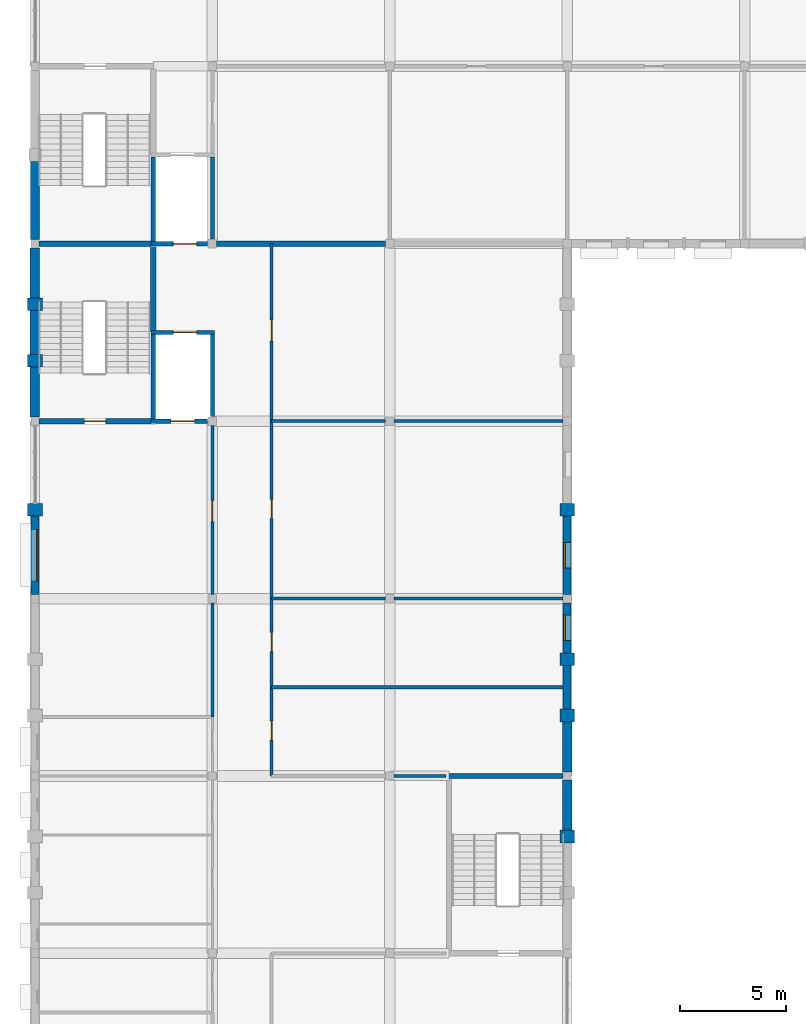
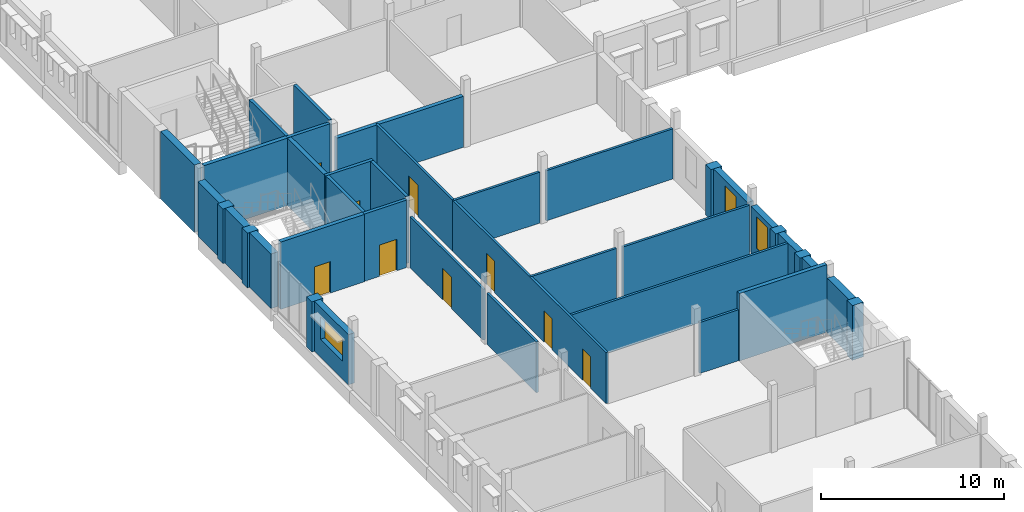
# One storey, part 16 of 22: 39 walls, 9 doors, 3 windows, 12 openings.
"""IFC4 building model written with IfcOpenShell, lengths in metres."""

from ifc_helpers import new_model, si_unit, direction, frame, frame_2d, origin, place, context, subcontext, project, spatial, rectangle, extrude, material, layer, layer_set, type_object, element, fill, save


model = new_model("IFC4")

# Units and contexts
model_context = context("Model", 3, precision=1e-05, world=origin(), true_north=direction((0.0, 1.0)))
body_context = subcontext(model_context, "Body", "Model", "MODEL_VIEW")
ifc_project = project(units=[si_unit("LENGTHUNIT", "METRE"), si_unit("AREAUNIT", "SQUARE_METRE"), si_unit("VOLUMEUNIT", "CUBIC_METRE"), si_unit("PLANEANGLEUNIT", "RADIAN"), si_unit("MASSUNIT", "GRAM", prefix="KILO")], contexts=[model_context])

# Site, building, storey
site_placement = place(None, origin())
site = spatial("IfcSite", under=ifc_project, at=site_placement, CompositionType="ELEMENT")
building_placement = place(site_placement, origin())
building = spatial("IfcBuilding", under=site, at=building_placement, Name="Fescue Hill Polytechnic", CompositionType="ELEMENT")
storey_placement = place(building_placement, frame((0.0, 0.0, 27.0)))
storey = spatial("IfcBuildingStorey", under=building, at=storey_placement, Name="L06", CompositionType="ELEMENT", Elevation=27.0)

# Wall, opening, door
ifc_material_1 = material(Name="Concrete 40 MPa", Category="concrete")
ifc_layer_1 = layer(ifc_material_1, 0.25)
ifc_layer_set_1 = layer_set([ifc_layer_1], Name="Concrete 40 MPa")
wall_type_1 = type_object("IfcWallType", Name="Core wall 250", PredefinedType="SHEAR", material=ifc_layer_set_1)
wall_1_placement = place(storey_placement, frame((0.199951171875, 100.800048828125, 0.0), z_axis=(0.0, 0.0, 1.0), x_axis=(1.0, 0.0, 0.0)))
wall_1 = element("IfcWall", 1, at=wall_1_placement, inside=storey, type_object=wall_type_1, Name="CW-L06-ST-V4-2-11", PredefinedType="SHEAR", context=body_context, shape_type="SweptSolid", body=[
    extrude(rectangle(XDim=5.300048828125, YDim=0.25, at=frame_2d((2.64990234375, 0.0))), origin(), (0.0, 0.0, 1.0), 4.5),
])
opening_1_placement = place(wall_1_placement, frame((2.14990234375, 0.0, 0.0)))
opening_1 = element("IfcOpeningElement", 2, at=opening_1_placement, cuts=wall_1, Name="Opening D6027", PredefinedType="OPENING", context=body_context, shape_type="SweptSolid", body=[
    extrude(rectangle(XDim=1.0, YDim=2.10009765625, at=frame_2d((0.5, 1.050048828125))), frame((0.0, 0.135009765625, 0.0), z_axis=(0.0, -1.0, 0.0), x_axis=(1.0, 0.0, 0.0)), (0.0, 0.0, 1.0), 0.27001953125),
])
ifc_material_2 = material(Name="Steel fire door", Category="steel")
door_type_1 = type_object("IfcDoorType", Name="Door single swing 1000x2100 stair fire rated", OperationType="NOTDEFINED", PredefinedType="DOOR", material=ifc_material_2)
door_1_placement = place(opening_1_placement, origin())
door_1 = element("IfcDoor", 3, at=door_1_placement, inside=storey, type_object=door_type_1, Name="L06 ST-V4-2 stair door", OperationType="SINGLE_SWING_RIGHT", OverallHeight=2.10009765625, OverallWidth=1.0, PredefinedType="DOOR", context=body_context, shape_type="SweptSolid", body=[
    extrude(rectangle(XDim=1.0, YDim=2.10009765625, at=frame_2d((0.5, 1.050048828125))), frame((0.0, 0.02490234375, 0.0), z_axis=(0.0, -1.0, 0.0), x_axis=(1.0, 0.0, 0.0)), (0.0, 0.0, 1.0), 0.050048828125),
])
fill(opening_1, door_1)

# Walls
wall_2_placement = place(storey_placement, frame((0.199951171875, 109.199951171875, 0.0), z_axis=(0.0, 0.0, 1.0), x_axis=(1.0, 0.0, 0.0)))
element("IfcWall", 4, at=wall_2_placement, inside=storey, type_object=wall_type_1, Name="CW-L06-ST-V4-2-21", PredefinedType="SHEAR", context=body_context, shape_type="SweptSolid", body=[
    extrude(rectangle(XDim=5.300048828125, YDim=0.25, at=frame_2d((2.64990234375, 0.0))), origin(), (0.0, 0.0, 1.0), 4.5),
])
wall_3_placement = place(storey_placement, frame((5.60009765625, 105.010009765625, 0.0), z_axis=(0.0, 0.0, 1.0), x_axis=(0.0, 1.0, 0.0)))
element("IfcWall", 5, at=wall_3_placement, inside=storey, type_object=wall_type_1, Name="CW-L06-ST-V4-2-41", PredefinedType="SHEAR", context=body_context, shape_type="SweptSolid", body=[
    extrude(rectangle(XDim=4.06494140625, YDim=0.25, at=frame_2d((2.032470703125, 0.0))), origin(), (0.0, 0.0, 1.0), 4.5),
])
wall_4_placement = place(storey_placement, frame((19.47509765625, 84.0, 0.0), z_axis=(0.0, 0.0, 1.0), x_axis=(1.0, 0.0, 0.0)))
element("IfcWall", 6, at=wall_4_placement, inside=storey, type_object=wall_type_1, Name="CW-L06-ST-V4-3-21", PredefinedType="SHEAR", context=body_context, shape_type="SweptSolid", body=[
    extrude(rectangle(XDim=5.52490234375, YDim=0.25, at=frame_2d((2.762451171875, 0.0))), origin(), (0.0, 0.0, 1.0), 4.5),
])

# Wall, openings, doors
ifc_material_3 = material(Name="Gypsum board partition")
ifc_layer_2 = layer(ifc_material_3, 0.14990234375)
ifc_layer_set_2 = layer_set([ifc_layer_2], Name="Gypsum board partition")
wall_type_2 = type_object("IfcWallType", Name="Corridor wall 150 EI 45", PredefinedType="PARTITIONING", material=ifc_layer_set_2)
wall_5_placement = place(storey_placement, frame((11.199951171875, 84.0, 0.0), z_axis=(0.0, 0.0, 1.0), x_axis=(0.0, 1.0, 0.0)))
wall_5 = element("IfcWall", 7, at=wall_5_placement, inside=storey, type_object=wall_type_2, Name="IW-L06-044", PredefinedType="PARTITIONING", context=body_context, shape_type="SweptSolid", body=[
    extrude(rectangle(XDim=16.800048828125, YDim=0.14990234375, at=frame_2d((8.39990234375, 0.0))), origin(), (0.0, 0.0, 1.0), 3.39990234375),
])
opening_2_placement = place(wall_5_placement, frame((1.699951171875, 0.0, 0.0)))
opening_2 = element("IfcOpeningElement", 8, at=opening_2_placement, cuts=wall_5, Name="Opening D6010", PredefinedType="OPENING", context=body_context, shape_type="SweptSolid", body=[
    extrude(rectangle(XDim=0.89990234375, YDim=2.10009765625, at=frame_2d((0.449951171875, 1.050048828125))), frame((0.0, 0.0849609375, 0.0), z_axis=(0.0, -1.0, 0.0), x_axis=(1.0, 0.0, 0.0)), (0.0, 0.0, 1.0), 0.169921875),
])
opening_3_placement = place(wall_5_placement, frame((5.89990234375, 0.0, 0.0)))
opening_3 = element("IfcOpeningElement", 9, at=opening_3_placement, cuts=wall_5, Name="Opening D6011", PredefinedType="OPENING", context=body_context, shape_type="SweptSolid", body=[
    extrude(rectangle(XDim=0.89990234375, YDim=2.10009765625, at=frame_2d((0.449951171875, 1.050048828125))), frame((0.0, 0.0849609375, 0.0), z_axis=(0.0, -1.0, 0.0), x_axis=(1.0, 0.0, 0.0)), (0.0, 0.0, 1.0), 0.169921875),
])
opening_4_placement = place(wall_5_placement, frame((12.199951171875, 0.0, 0.0)))
opening_4 = element("IfcOpeningElement", 10, at=opening_4_placement, cuts=wall_5, Name="Opening D6012", PredefinedType="OPENING", context=body_context, shape_type="SweptSolid", body=[
    extrude(rectangle(XDim=0.89990234375, YDim=2.10009765625, at=frame_2d((0.449951171875, 1.050048828125))), frame((0.0, 0.0849609375, 0.0), z_axis=(0.0, -1.0, 0.0), x_axis=(1.0, 0.0, 0.0)), (0.0, 0.0, 1.0), 0.169921875),
])
ifc_material_4 = material(Name="Timber", Category="wood")
door_type_2 = type_object("IfcDoorType", Name="Door single swing 900x2100 FD30S", OperationType="SINGLE_SWING_LEFT", PredefinedType="DOOR", material=ifc_material_4)
door_2_placement = place(opening_2_placement, origin())
door_2 = element("IfcDoor", 11, at=door_2_placement, inside=storey, type_object=door_type_2, Name="Door D6010", OperationType="SINGLE_SWING_LEFT", OverallHeight=2.10009765625, OverallWidth=0.89990234375, PredefinedType="DOOR", context=body_context, shape_type="SweptSolid", body=[
    extrude(rectangle(XDim=0.89990234375, YDim=2.10009765625, at=frame_2d((0.449951171875, 1.050048828125))), frame((0.0, 0.02490234375, 0.0), z_axis=(0.0, -1.0, 0.0), x_axis=(1.0, 0.0, 0.0)), (0.0, 0.0, 1.0), 0.050048828125),
])
fill(opening_2, door_2)
door_3_placement = place(opening_3_placement, origin())
door_3 = element("IfcDoor", 12, at=door_3_placement, inside=storey, type_object=door_type_2, Name="Door D6011", OperationType="SINGLE_SWING_LEFT", OverallHeight=2.10009765625, OverallWidth=0.89990234375, PredefinedType="DOOR", context=body_context, shape_type="SweptSolid", body=[
    extrude(rectangle(XDim=0.89990234375, YDim=2.10009765625, at=frame_2d((0.449951171875, 1.050048828125))), frame((0.0, 0.02490234375, 0.0), z_axis=(0.0, -1.0, 0.0), x_axis=(1.0, 0.0, 0.0)), (0.0, 0.0, 1.0), 0.050048828125),
])
fill(opening_3, door_3)
door_4_placement = place(opening_4_placement, origin())
door_4 = element("IfcDoor", 13, at=door_4_placement, inside=storey, type_object=door_type_2, Name="Door D6012", OperationType="SINGLE_SWING_RIGHT", OverallHeight=2.10009765625, OverallWidth=0.89990234375, PredefinedType="DOOR", context=body_context, shape_type="SweptSolid", body=[
    extrude(rectangle(XDim=0.89990234375, YDim=2.10009765625, at=frame_2d((0.449951171875, 1.050048828125))), frame((0.0, 0.02490234375, 0.0), z_axis=(0.0, -1.0, 0.0), x_axis=(1.0, 0.0, 0.0)), (0.0, 0.0, 1.0), 0.050048828125),
])
fill(opening_4, door_4)

# Walls
ifc_layer_3 = layer(ifc_material_1, 0.449951171875)
ifc_layer_set_3 = layer_set([ifc_layer_3], Name="Concrete 40 MPa")
wall_type_3 = type_object("IfcWallType", Name="Exterior wall board-marked concrete 450", PredefinedType="SOLIDWALL", material=ifc_layer_set_3)
wall_6_placement = place(storey_placement, frame((25.199951171875, 84.199951171875, 0.0), z_axis=(0.0, 0.0, 1.0), x_axis=(0.0, 1.0, 0.0)))
element("IfcWall", 14, at=wall_6_placement, inside=storey, type_object=wall_type_3, Name="EW-L06-V4-11", PredefinedType="SOLIDWALL", context=body_context, shape_type="SweptSolid", body=[
    extrude(rectangle(XDim=2.36669921875, YDim=0.449951171875, at=frame_2d((1.183349609375, 0.0))), origin(), (0.0, 0.0, 1.0), 3.35009765625),
])
ifc_layer_4 = layer(ifc_material_1, 0.449951171875)
ifc_layer_set_4 = layer_set([ifc_layer_4], Name="Concrete 40 MPa")
wall_type_4 = type_object("IfcWallType", Name="Exterior wall board-marked concrete 450 load-bearing", PredefinedType="SOLIDWALL", material=ifc_layer_set_4)
for number, where, z_axis, x_axis, name in (
    (15, (25.199951171875, 81.433349609375, 0.0), (0.0, 0.0, 1.0), (0.0, 1.0, 0.0), "EW-L06-V4-10"),
    (16, (0.0, 109.0, 0.0), (0.0, 0.0, 1.0), (0.0, -1.0, 0.0), "EW-L06-V4-19"),
):
    element("IfcWall", number, at=place(storey_placement, frame(where, z_axis=z_axis, x_axis=x_axis)), inside=storey, type_object=wall_type_4, Name=name, PredefinedType="SOLIDWALL", context=body_context, shape_type="SweptSolid", body=[
        extrude(rectangle(XDim=2.36669921875, YDim=0.449951171875, at=frame_2d((1.183349609375, 0.0))), origin(), (0.0, 0.0, 1.0), 3.64990234375),
    ])
wall_7_placement = place(storey_placement, frame((0.0, 106.033203125, 0.0), z_axis=(0.0, 0.0, 1.0), x_axis=(0.0, -1.0, 0.0)))
element("IfcWall", 17, at=wall_7_placement, inside=storey, type_object=wall_type_4, Name="EW-L06-V4-20", PredefinedType="SOLIDWALL", context=body_context, shape_type="SweptSolid", body=[
    extrude(rectangle(XDim=2.06640625, YDim=0.449951171875, at=frame_2d((1.033203125, 0.0))), origin(), (0.0, 0.0, 1.0), 3.64990234375),
])
wall_8_placement = place(storey_placement, frame((0.0, 103.36669921875, 0.0), z_axis=(0.0, 0.0, 1.0), x_axis=(0.0, -1.0, 0.0)))
element("IfcWall", 18, at=wall_8_placement, inside=storey, type_object=wall_type_4, Name="EW-L06-V4-21", PredefinedType="SOLIDWALL", context=body_context, shape_type="SweptSolid", body=[
    extrude(rectangle(XDim=2.36669921875, YDim=0.449951171875, at=frame_2d((1.183349609375, 0.0))), origin(), (0.0, 0.0, 1.0), 3.64990234375),
])
ifc_material_5 = material(Name="Clay brick masonry", Category="masonry")
ifc_layer_5 = layer(ifc_material_5, 0.419921875)
ifc_layer_set_5 = layer_set([ifc_layer_5], Name="Clay brick masonry")
wall_type_5 = type_object("IfcWallType", Name="Exterior wall buff-red brick cavity 420 load-bearing", PredefinedType="SOLIDWALL", material=ifc_layer_set_5)
wall_9_placement = place(storey_placement, frame((0.0, 113.10009765625, 0.0), z_axis=(0.0, 0.0, 1.0), x_axis=(0.0, -1.0, 0.0)))
element("IfcWall", 19, at=wall_9_placement, inside=storey, type_object=wall_type_5, Name="EW-L06-V5-22", PredefinedType="SOLIDWALL", context=body_context, shape_type="SweptSolid", body=[
    extrude(rectangle(XDim=3.7001953125, YDim=0.419921875, at=frame_2d((1.85009765625, 0.0))), origin(), (0.0, 0.0, 1.0), 4.5),
])
ifc_material_6 = material(Name="Terracotta rainscreen on concrete block", Category="masonry")
ifc_layer_6 = layer(ifc_material_6, 0.3798828125)
ifc_layer_set_6 = layer_set([ifc_layer_6], Name="Terracotta rainscreen on concrete block")
wall_type_6 = type_object("IfcWallType", Name="Exterior wall rainscreen terracotta on blockwork 380", PredefinedType="SOLIDWALL", material=ifc_layer_set_6)
wall_10_placement = place(storey_placement, frame((25.199951171875, 87.166748046875, 0.0), z_axis=(0.0, 0.0, 1.0), x_axis=(0.0, 1.0, 0.0)))
element("IfcWall", 20, at=wall_10_placement, inside=storey, type_object=wall_type_6, Name="EW-L06-V4-12", PredefinedType="SOLIDWALL", context=body_context, shape_type="SweptSolid", body=[
    extrude(rectangle(XDim=2.066650390625, YDim=0.3798828125, at=frame_2d((1.033203125, 0.0))), origin(), (0.0, 0.0, 1.0), 3.35009765625),
])

# Wall, opening, window
wall_11_placement = place(storey_placement, frame((25.199951171875, 89.833251953125, 0.0), z_axis=(0.0, 0.0, 1.0), x_axis=(0.0, 1.0, 0.0)))
wall_11 = element("IfcWall", 21, at=wall_11_placement, inside=storey, type_object=wall_type_6, Name="EW-L06-V4-13", PredefinedType="SOLIDWALL", context=body_context, shape_type="SweptSolid", body=[
    extrude(rectangle(XDim=2.36669921875, YDim=0.3798828125, at=frame_2d((1.183349609375, 0.0))), origin(), (0.0, 0.0, 1.0), 3.35009765625),
])
opening_5_placement = place(wall_11_placement, frame((0.583251953125, 0.0, 0.89990234375)))
opening_5 = element("IfcOpeningElement", 22, at=opening_5_placement, cuts=wall_11, Name="Opening W13", PredefinedType="OPENING", context=body_context, shape_type="SweptSolid", body=[
    extrude(rectangle(XDim=1.199951171875, YDim=2.10009765625, at=frame_2d((0.60009765625, 1.050048828125))), frame((0.0, 0.199951171875, 0.0), z_axis=(0.0, -1.0, 0.0), x_axis=(1.0, 0.0, 0.0)), (0.0, 0.0, 1.0), 0.39990234375),
])
ifc_material_7 = material(Name="Powder-coated aluminium and glass", Category="aluminium")
window_type_1 = type_object("IfcWindowType", Name="Window cellular office 1200x2100", PartitioningType="SINGLE_PANEL", PredefinedType="WINDOW", material=ifc_material_7)
window_1_placement = place(opening_5_placement, origin())
window_1 = element("IfcWindow", 23, at=window_1_placement, inside=storey, type_object=window_type_1, Name="WN-L06-V4-4", OverallHeight=2.10009765625, OverallWidth=1.199951171875, PartitioningType="SINGLE_PANEL", PredefinedType="WINDOW", context=body_context, shape_type="SweptSolid", body=[
    extrude(rectangle(XDim=1.199951171875, YDim=2.10009765625, at=frame_2d((0.60009765625, 1.050048828125))), frame((0.0, 0.150146484375, 0.0), z_axis=(0.0, -1.0, 0.0), x_axis=(1.0, 0.0, 0.0)), (0.0, 0.0, 1.0), 0.06005859375),
])
fill(opening_5, window_1)

wall_12_placement = place(storey_placement, frame((25.199951171875, 92.60009765625, 0.0), z_axis=(0.0, 0.0, 1.0), x_axis=(0.0, 1.0, 0.0)))
wall_12 = element("IfcWall", 24, at=wall_12_placement, inside=storey, type_object=wall_type_6, Name="EW-L06-V4-14", PredefinedType="SOLIDWALL", context=body_context, shape_type="SweptSolid", body=[
    extrude(rectangle(XDim=3.699951171875, YDim=0.3798828125, at=frame_2d((1.85009765625, 0.0))), origin(), (0.0, 0.0, 1.0), 3.35009765625),
])
opening_6_placement = place(wall_12_placement, frame((1.25, 0.0, 0.89990234375)))
opening_6 = element("IfcOpeningElement", 25, at=opening_6_placement, cuts=wall_12, Name="Opening W13", PredefinedType="OPENING", context=body_context, shape_type="SweptSolid", body=[
    extrude(rectangle(XDim=1.199951171875, YDim=2.10009765625, at=frame_2d((0.60009765625, 1.050048828125))), frame((0.0, 0.199951171875, 0.0), z_axis=(0.0, -1.0, 0.0), x_axis=(1.0, 0.0, 0.0)), (0.0, 0.0, 1.0), 0.39990234375),
])
window_2_placement = place(opening_6_placement, origin())
window_2 = element("IfcWindow", 26, at=window_2_placement, inside=storey, type_object=window_type_1, Name="WN-L06-V4-5", OverallHeight=2.10009765625, OverallWidth=1.199951171875, PartitioningType="SINGLE_PANEL", PredefinedType="WINDOW", context=body_context, shape_type="SweptSolid", body=[
    extrude(rectangle(XDim=1.199951171875, YDim=2.10009765625, at=frame_2d((0.60009765625, 1.050048828125))), frame((0.0, 0.150146484375, 0.0), z_axis=(0.0, -1.0, 0.0), x_axis=(1.0, 0.0, 0.0)), (0.0, 0.0, 1.0), 0.06005859375),
])
fill(opening_6, window_2)

wall_13_placement = place(storey_placement, frame((0.0, 96.300048828125, 0.0), z_axis=(0.0, 0.0, 1.0), x_axis=(0.0, -1.0, 0.0)))
wall_13 = element("IfcWall", 27, at=wall_13_placement, inside=storey, type_object=wall_type_6, Name="EW-L06-V4-23", PredefinedType="SOLIDWALL", context=body_context, shape_type="SweptSolid", body=[
    extrude(rectangle(XDim=3.699951171875, YDim=0.3798828125, at=frame_2d((1.85009765625, 0.0))), origin(), (0.0, 0.0, 1.0), 3.35009765625),
])
opening_7_placement = place(wall_13_placement, frame((0.64990234375, 0.0, 1.199951171875)))
opening_7 = element("IfcOpeningElement", 28, at=opening_7_placement, cuts=wall_13, Name="Opening W3", PredefinedType="OPENING", context=body_context, shape_type="SweptSolid", body=[
    extrude(rectangle(XDim=2.39990234375, YDim=1.5, at=frame_2d((1.199951171875, 0.75))), frame((0.0, 0.199951171875, 0.0), z_axis=(0.0, -1.0, 0.0), x_axis=(1.0, 0.0, 0.0)), (0.0, 0.0, 1.0), 0.39990234375),
])
window_type_2 = type_object("IfcWindowType", Name="Window laboratory strip 2400x1500", PartitioningType="TRIPLE_PANEL_VERTICAL", PredefinedType="WINDOW", material=ifc_material_7)
window_3_placement = place(opening_7_placement, origin())
window_3 = element("IfcWindow", 29, at=window_3_placement, inside=storey, type_object=window_type_2, Name="WN-L06-V4-7", OverallHeight=1.5, OverallWidth=2.39990234375, PartitioningType="SINGLE_PANEL", PredefinedType="WINDOW", context=body_context, shape_type="SweptSolid", body=[
    extrude(rectangle(XDim=2.39990234375, YDim=1.5, at=frame_2d((1.199951171875, 0.75))), frame((0.0, 0.150146484375, 0.0), z_axis=(0.0, -1.0, 0.0), x_axis=(1.0, 0.0, 0.0)), (0.0, 0.0, 1.0), 0.06005859375),
])
fill(opening_7, window_3)

# Walls
ifc_layer_7 = layer(ifc_material_1, 0.699951171875)
ifc_layer_set_7 = layer_set([ifc_layer_7], Name="Concrete 40 MPa")
wall_type_7 = type_object("IfcWallType", Name="Fin wall board-marked 600x700", PredefinedType="SOLIDWALL", material=ifc_layer_set_7)
wall_14_placement = place(storey_placement, frame((25.199951171875, 80.833251953125, 0.0), z_axis=(0.0, 0.0, 1.0), x_axis=(0.0, 1.0, 0.0)))
element("IfcWall", 30, at=wall_14_placement, inside=storey, type_object=wall_type_7, Name="PR-L06-V4-6", PredefinedType="SOLIDWALL", context=body_context, shape_type="SweptSolid", body=[
    extrude(rectangle(XDim=0.60009765625, YDim=0.699951171875, at=frame_2d((0.300048828125, 0.0))), origin(), (0.0, 0.0, 1.0), 3.64990234375),
])
wall_15_placement = place(storey_placement, frame((25.199951171875, 86.566650390625, 0.0), z_axis=(0.0, 0.0, 1.0), x_axis=(0.0, 1.0, 0.0)))
element("IfcWall", 31, at=wall_15_placement, inside=storey, type_object=wall_type_7, Name="PR-L06-V4-7", PredefinedType="SOLIDWALL", context=body_context, shape_type="SweptSolid", body=[
    extrude(rectangle(XDim=0.60009765625, YDim=0.699951171875, at=frame_2d((0.300048828125, 0.0))), origin(), (0.0, 0.0, 1.0), 3.35009765625),
])
for number, where, z_axis, x_axis, name in (
    (32, (25.199951171875, 89.2333984375, 0.0), (0.0, 0.0, 1.0), (0.0, 1.0, 0.0), "PR-L06-V4-8"),
    (33, (25.199951171875, 96.300048828125, 0.0), (0.0, 0.0, 1.0), (0.0, 1.0, 0.0), "PR-L06-V4-9"),
):
    element("IfcWall", number, at=place(storey_placement, frame(where, z_axis=z_axis, x_axis=x_axis)), inside=storey, type_object=wall_type_7, Name=name, PredefinedType="SOLIDWALL", context=body_context, shape_type="SweptSolid", body=[
        extrude(rectangle(XDim=0.599853515625, YDim=0.699951171875, at=frame_2d((0.2998046875, 0.0))), origin(), (0.0, 0.0, 1.0), 3.35009765625),
    ])
for number, where, z_axis, x_axis, name in (
    (34, (0.0, 106.63330078125, 0.0), (0.0, 0.0, 1.0), (0.0, -1.0, 0.0), "PR-L06-V4-12"),
    (35, (0.0, 103.966796875, 0.0), (0.0, 0.0, 1.0), (0.0, -1.0, 0.0), "PR-L06-V4-13"),
):
    element("IfcWall", number, at=place(storey_placement, frame(where, z_axis=z_axis, x_axis=x_axis)), inside=storey, type_object=wall_type_7, Name=name, PredefinedType="SOLIDWALL", context=body_context, shape_type="SweptSolid", body=[
        extrude(rectangle(XDim=0.60009765625, YDim=0.699951171875, at=frame_2d((0.300048828125, 0.0))), origin(), (0.0, 0.0, 1.0), 3.64990234375),
    ])
wall_16_placement = place(storey_placement, frame((0.0, 96.89990234375, 0.0), z_axis=(0.0, 0.0, 1.0), x_axis=(0.0, -1.0, 0.0)))
element("IfcWall", 36, at=wall_16_placement, inside=storey, type_object=wall_type_7, Name="PR-L06-V4-14", PredefinedType="SOLIDWALL", context=body_context, shape_type="SweptSolid", body=[
    extrude(rectangle(XDim=0.599853515625, YDim=0.699951171875, at=frame_2d((0.2998046875, 0.0))), origin(), (0.0, 0.0, 1.0), 3.35009765625),
])
ifc_material_8 = material(Name="Concrete masonry block 15 MPa", Category="masonry")
ifc_layer_8 = layer(ifc_material_8, 0.14990234375)
ifc_layer_set_8 = layer_set([ifc_layer_8], Name="Concrete masonry block 15 MPa")
wall_type_8 = type_object("IfcWallType", Name="Laboratory wall 150 block EI 60", PredefinedType="PARTITIONING", material=ifc_layer_set_8)
wall_17_placement = place(storey_placement, frame((11.199951171875, 100.800048828125, 0.0), z_axis=(0.0, 0.0, 1.0), x_axis=(1.0, 0.0, 0.0)))
element("IfcWall", 37, at=wall_17_placement, inside=storey, type_object=wall_type_8, Name="IW-L06-018", PredefinedType="PARTITIONING", context=body_context, shape_type="SweptSolid", body=[
    extrude(rectangle(XDim=5.400146484375, YDim=0.14990234375, at=frame_2d((2.7001953125, 0.0))), origin(), (0.0, 0.0, 1.0), 3.39990234375),
])
wall_18_placement = place(storey_placement, frame((17.0, 100.800048828125, 0.0), z_axis=(0.0, 0.0, 1.0), x_axis=(1.0, 0.0, 0.0)))
element("IfcWall", 38, at=wall_18_placement, inside=storey, type_object=wall_type_8, Name="IW-L06-019", PredefinedType="PARTITIONING", context=body_context, shape_type="SweptSolid", body=[
    extrude(rectangle(XDim=8.0, YDim=0.14990234375, at=frame_2d((4.0, 0.0))), origin(), (0.0, 0.0, 1.0), 3.35009765625),
])
wall_19_placement = place(storey_placement, frame((8.39990234375, 86.800048828125, 0.0), z_axis=(0.0, 0.0, 1.0), x_axis=(0.0, 1.0, 0.0)))
element("IfcWall", 39, at=wall_19_placement, inside=storey, type_object=wall_type_8, Name="IW-L06-036", PredefinedType="PARTITIONING", context=body_context, shape_type="SweptSolid", body=[
    extrude(rectangle(XDim=5.39990234375, YDim=0.14990234375, at=frame_2d((2.699951171875, 0.0))), origin(), (0.0, 0.0, 1.0), 3.39990234375),
])

# Wall, opening, door
wall_20_placement = place(storey_placement, frame((8.39990234375, 92.60009765625, 0.0), z_axis=(0.0, 0.0, 1.0), x_axis=(0.0, 1.0, 0.0)))
wall_20 = element("IfcWall", 40, at=wall_20_placement, inside=storey, type_object=wall_type_8, Name="IW-L06-037", PredefinedType="PARTITIONING", context=body_context, shape_type="SweptSolid", body=[
    extrude(rectangle(XDim=8.0, YDim=0.14990234375, at=frame_2d((4.0, 0.0))), origin(), (0.0, 0.0, 1.0), 3.39990234375),
])
opening_8_placement = place(wall_20_placement, frame((3.449951171875, 0.0, 0.0)))
opening_8 = element("IfcOpeningElement", 41, at=opening_8_placement, cuts=wall_20, Name="Opening D6006", PredefinedType="OPENING", context=body_context, shape_type="SweptSolid", body=[
    extrude(rectangle(XDim=1.0, YDim=2.10009765625, at=frame_2d((0.5, 1.050048828125))), frame((0.0, 0.0849609375, 0.0), z_axis=(0.0, -1.0, 0.0), x_axis=(1.0, 0.0, 0.0)), (0.0, 0.0, 1.0), 0.169921875),
])
ifc_material_9 = material(Name="Steel", Category="steel")
door_type_3 = type_object("IfcDoorType", Name="Door single swing 1000x2100 FD60", OperationType="SINGLE_SWING_LEFT", PredefinedType="DOOR", material=ifc_material_9)
door_5_placement = place(opening_8_placement, origin())
door_5 = element("IfcDoor", 42, at=door_5_placement, inside=storey, type_object=door_type_3, Name="Door D6006", OperationType="SINGLE_SWING_LEFT", OverallHeight=2.10009765625, OverallWidth=1.0, PredefinedType="DOOR", context=body_context, shape_type="SweptSolid", body=[
    extrude(rectangle(XDim=1.0, YDim=2.10009765625, at=frame_2d((0.5, 1.050048828125))), frame((0.0, 0.02490234375, 0.0), z_axis=(0.0, -1.0, 0.0), x_axis=(1.0, 0.0, 0.0)), (0.0, 0.0, 1.0), 0.050048828125),
])
fill(opening_8, door_5)

wall_21_placement = place(storey_placement, frame((11.199951171875, 100.800048828125, 0.0), z_axis=(0.0, 0.0, 1.0), x_axis=(0.0, 1.0, 0.0)))
wall_21 = element("IfcWall", 43, at=wall_21_placement, inside=storey, type_object=wall_type_8, Name="IW-L06-046", PredefinedType="PARTITIONING", context=body_context, shape_type="SweptSolid", body=[
    extrude(rectangle(XDim=8.39990234375, YDim=0.14990234375, at=frame_2d((4.199951171875, 0.0))), origin(), (0.0, 0.0, 1.0), 3.39990234375),
])
opening_9_placement = place(wall_21_placement, frame((3.800048828125, 0.0, 0.0)))
opening_9 = element("IfcOpeningElement", 44, at=opening_9_placement, cuts=wall_21, Name="Opening D6013", PredefinedType="OPENING", context=body_context, shape_type="SweptSolid", body=[
    extrude(rectangle(XDim=1.0, YDim=2.10009765625, at=frame_2d((0.5, 1.050048828125))), frame((0.0, 0.0849609375, 0.0), z_axis=(0.0, -1.0, 0.0), x_axis=(1.0, 0.0, 0.0)), (0.0, 0.0, 1.0), 0.169921875),
])
door_6_placement = place(opening_9_placement, origin())
door_6 = element("IfcDoor", 45, at=door_6_placement, inside=storey, type_object=door_type_3, Name="Door D6013", OperationType="SINGLE_SWING_RIGHT", OverallHeight=2.10009765625, OverallWidth=1.0, PredefinedType="DOOR", context=body_context, shape_type="SweptSolid", body=[
    extrude(rectangle(XDim=1.0, YDim=2.10009765625, at=frame_2d((0.5, 1.050048828125))), frame((0.0, 0.02490234375, 0.0), z_axis=(0.0, -1.0, 0.0), x_axis=(1.0, 0.0, 0.0)), (0.0, 0.0, 1.0), 0.050048828125),
])
fill(opening_9, door_6)

ifc_layer_9 = layer(ifc_material_1, 0.199951171875)
ifc_layer_set_9 = layer_set([ifc_layer_9], Name="Concrete 40 MPa")
wall_type_9 = type_object("IfcWallType", Name="Lift shaft wall 200", PredefinedType="SHEAR", material=ifc_layer_set_9)
wall_22_placement = place(storey_placement, frame((5.5, 100.800048828125, 0.0), z_axis=(0.0, 0.0, 1.0), x_axis=(1.0, 0.0, 0.0)))
wall_22 = element("IfcWall", 46, at=wall_22_placement, inside=storey, type_object=wall_type_9, Name="CW-L06-LF-V4-2-11", PredefinedType="SHEAR", context=body_context, shape_type="SweptSolid", body=[
    extrude(rectangle(XDim=2.675048828125, YDim=0.199951171875, at=frame_2d((1.33740234375, 0.0))), origin(), (0.0, 0.0, 1.0), 4.5),
])
opening_10_placement = place(wall_22_placement, frame((0.949951171875, 0.0, 0.0)))
opening_10 = element("IfcOpeningElement", 47, at=opening_10_placement, cuts=wall_22, Name="Opening LD5-L06", PredefinedType="OPENING", context=body_context, shape_type="SweptSolid", body=[
    extrude(rectangle(XDim=1.10009765625, YDim=2.10009765625, at=frame_2d((0.550048828125, 1.050048828125))), frame((0.0, 0.10986328125, 0.0), z_axis=(0.0, -1.0, 0.0), x_axis=(1.0, 0.0, 0.0)), (0.0, 0.0, 1.0), 0.219970703125),
])
ifc_material_10 = material(Name="Stainless steel", Category="steel")
door_type_4 = type_object("IfcDoorType", Name="Lift landing door sliding 1100x2100", OperationType="SLIDING_TO_LEFT", PredefinedType="DOOR", material=ifc_material_10)
door_7_placement = place(opening_10_placement, origin())
door_7 = element("IfcDoor", 48, at=door_7_placement, inside=storey, type_object=door_type_4, Name="L06 LF-V4-2 lift landing door", OperationType="SLIDING_TO_RIGHT", OverallHeight=2.10009765625, OverallWidth=1.10009765625, PredefinedType="DOOR", context=body_context, shape_type="SweptSolid", body=[
    extrude(rectangle(XDim=1.10009765625, YDim=2.10009765625, at=frame_2d((0.550048828125, 1.050048828125))), frame((0.0, 0.02490234375, 0.0), z_axis=(0.0, -1.0, 0.0), x_axis=(1.0, 0.0, 0.0)), (0.0, 0.0, 1.0), 0.050048828125),
])
fill(opening_10, door_7)

wall_23_placement = place(storey_placement, frame((5.5, 105.0, 0.0), z_axis=(0.0, 0.0, 1.0), x_axis=(1.0, 0.0, 0.0)))
wall_23 = element("IfcWall", 49, at=wall_23_placement, inside=storey, type_object=wall_type_9, Name="CW-L06-LF-V4-2-21", PredefinedType="SHEAR", context=body_context, shape_type="SweptSolid", body=[
    extrude(rectangle(XDim=3.0, YDim=0.199951171875, at=frame_2d((1.5, 0.0))), origin(), (0.0, 0.0, 1.0), 4.5),
])
opening_11_placement = place(wall_23_placement, frame((1.050048828125, 0.0, 0.0)))
opening_11 = element("IfcOpeningElement", 50, at=opening_11_placement, cuts=wall_23, Name="Opening LD5-L06N", PredefinedType="OPENING", context=body_context, shape_type="SweptSolid", body=[
    extrude(rectangle(XDim=1.10009765625, YDim=2.10009765625, at=frame_2d((0.550048828125, 1.050048828125))), frame((0.0, 0.10986328125, 0.0), z_axis=(0.0, -1.0, 0.0), x_axis=(1.0, 0.0, 0.0)), (0.0, 0.0, 1.0), 0.219970703125),
])
door_8_placement = place(opening_11_placement, origin())
door_8 = element("IfcDoor", 51, at=door_8_placement, inside=storey, type_object=door_type_4, Name="L06 LF-V4-2 lift landing door", OperationType="SLIDING_TO_LEFT", OverallHeight=2.10009765625, OverallWidth=1.10009765625, PredefinedType="DOOR", context=body_context, shape_type="SweptSolid", body=[
    extrude(rectangle(XDim=1.10009765625, YDim=2.10009765625, at=frame_2d((0.550048828125, 1.050048828125))), frame((0.0, 0.02490234375, 0.0), z_axis=(0.0, -1.0, 0.0), x_axis=(1.0, 0.0, 0.0)), (0.0, 0.0, 1.0), 0.050048828125),
])
fill(opening_11, door_8)

# Walls
wall_24_placement = place(storey_placement, frame((5.60009765625, 100.89990234375, 0.0), z_axis=(0.0, 0.0, 1.0), x_axis=(0.0, 1.0, 0.0)))
element("IfcWall", 52, at=wall_24_placement, inside=storey, type_object=wall_type_9, Name="CW-L06-LF-V4-2-31", PredefinedType="SHEAR", context=body_context, shape_type="SweptSolid", body=[
    extrude(rectangle(XDim=4.0, YDim=0.199951171875, at=frame_2d((2.0, 0.0))), origin(), (0.0, 0.0, 1.0), 4.5),
])
wall_25_placement = place(storey_placement, frame((8.39990234375, 101.02490234375, 0.0), z_axis=(0.0, 0.0, 1.0), x_axis=(0.0, 1.0, 0.0)))
element("IfcWall", 53, at=wall_25_placement, inside=storey, type_object=wall_type_9, Name="CW-L06-LF-V4-2-41", PredefinedType="SHEAR", context=body_context, shape_type="SweptSolid", body=[
    extrude(rectangle(XDim=3.875, YDim=0.199951171875, at=frame_2d((1.9375, 0.0))), origin(), (0.0, 0.0, 1.0), 4.5),
])

# Wall, opening, door
wall_26_placement = place(storey_placement, frame((5.5, 109.199951171875, 0.0), z_axis=(0.0, 0.0, 1.0), x_axis=(1.0, 0.0, 0.0)))
wall_26 = element("IfcWall", 54, at=wall_26_placement, inside=storey, type_object=wall_type_9, Name="CW-L06-LF-V5-1-11", PredefinedType="SHEAR", context=body_context, shape_type="SweptSolid", body=[
    extrude(rectangle(XDim=2.675048828125, YDim=0.199951171875, at=frame_2d((1.33740234375, 0.0))), origin(), (0.0, 0.0, 1.0), 4.5),
])
opening_12_placement = place(wall_26_placement, frame((1.050048828125, 0.0, 0.0)))
opening_12 = element("IfcOpeningElement", 55, at=opening_12_placement, cuts=wall_26, Name="Opening LD6-L06", PredefinedType="OPENING", context=body_context, shape_type="SweptSolid", body=[
    extrude(rectangle(XDim=1.10009765625, YDim=2.10009765625, at=frame_2d((0.550048828125, 1.050048828125))), frame((0.0, 0.10986328125, 0.0), z_axis=(0.0, -1.0, 0.0), x_axis=(1.0, 0.0, 0.0)), (0.0, 0.0, 1.0), 0.219970703125),
])
door_9_placement = place(opening_12_placement, origin())
door_9 = element("IfcDoor", 56, at=door_9_placement, inside=storey, type_object=door_type_4, Name="L06 LF-V5-1 lift landing door", OperationType="SLIDING_TO_RIGHT", OverallHeight=2.10009765625, OverallWidth=1.10009765625, PredefinedType="DOOR", context=body_context, shape_type="SweptSolid", body=[
    extrude(rectangle(XDim=1.10009765625, YDim=2.10009765625, at=frame_2d((0.550048828125, 1.050048828125))), frame((0.0, 0.02490234375, 0.0), z_axis=(0.0, -1.0, 0.0), x_axis=(1.0, 0.0, 0.0)), (0.0, 0.0, 1.0), 0.050048828125),
])
fill(opening_12, door_9)

# Walls
wall_27_placement = place(storey_placement, frame((5.60009765625, 109.300048828125, 0.0), z_axis=(0.0, 0.0, 1.0), x_axis=(0.0, 1.0, 0.0)))
element("IfcWall", 57, at=wall_27_placement, inside=storey, type_object=wall_type_9, Name="CW-L06-LF-V5-1-31", PredefinedType="SHEAR", context=body_context, shape_type="SweptSolid", body=[
    extrude(rectangle(XDim=4.0, YDim=0.199951171875, at=frame_2d((2.0, 0.0))), origin(), (0.0, 0.0, 1.0), 4.5),
])
wall_28_placement = place(storey_placement, frame((8.39990234375, 109.425048828125, 0.0), z_axis=(0.0, 0.0, 1.0), x_axis=(0.0, 1.0, 0.0)))
element("IfcWall", 58, at=wall_28_placement, inside=storey, type_object=wall_type_9, Name="CW-L06-LF-V5-1-41", PredefinedType="SHEAR", context=body_context, shape_type="SweptSolid", body=[
    extrude(rectangle(XDim=3.875, YDim=0.199951171875, at=frame_2d((1.9375, 0.0))), origin(), (0.0, 0.0, 1.0), 4.5),
])
ifc_layer_10 = layer(ifc_material_3, 0.14990234375)
ifc_layer_set_10 = layer_set([ifc_layer_10], Name="Gypsum board partition")
wall_type_10 = type_object("IfcWallType", Name="Lobby wall 150 EI 60", PredefinedType="PARTITIONING", material=ifc_layer_set_10)
wall_29_placement = place(storey_placement, frame((17.0, 84.0, 0.0), z_axis=(0.0, 0.0, 1.0), x_axis=(1.0, 0.0, 0.0)))
element("IfcWall", 59, at=wall_29_placement, inside=storey, type_object=wall_type_10, Name="IW-L06-012", PredefinedType="PARTITIONING", context=body_context, shape_type="SweptSolid", body=[
    extrude(rectangle(XDim=2.449951171875, YDim=0.14990234375, at=frame_2d((1.22509765625, 0.0))), origin(), (0.0, 0.0, 1.0), 3.39990234375),
])
ifc_layer_11 = layer(ifc_material_3, 0.14990234375)
ifc_layer_set_11 = layer_set([ifc_layer_11], Name="Gypsum board partition")
wall_type_11 = type_object("IfcWallType", Name="Partition stud 150 acoustic", PredefinedType="PARTITIONING", material=ifc_layer_set_11)
wall_30_placement = place(storey_placement, frame((11.199951171875, 88.199951171875, 0.0), z_axis=(0.0, 0.0, 1.0), x_axis=(1.0, 0.0, 0.0)))
element("IfcWall", 60, at=wall_30_placement, inside=storey, type_object=wall_type_11, Name="IW-L06-015", PredefinedType="PARTITIONING", context=body_context, shape_type="SweptSolid", body=[
    extrude(rectangle(XDim=13.81005859375, YDim=0.14990234375, at=frame_2d((6.905029296875, 0.0))), origin(), (0.0, 0.0, 1.0), 3.35009765625),
])
wall_31_placement = place(storey_placement, frame((11.199951171875, 92.39990234375, 0.0), z_axis=(0.0, 0.0, 1.0), x_axis=(1.0, 0.0, 0.0)))
element("IfcWall", 61, at=wall_31_placement, inside=storey, type_object=wall_type_11, Name="IW-L06-016", PredefinedType="PARTITIONING", context=body_context, shape_type="SweptSolid", body=[
    extrude(rectangle(XDim=5.400146484375, YDim=0.14990234375, at=frame_2d((2.7001953125, 0.0))), origin(), (0.0, 0.0, 1.0), 3.39990234375),
])
wall_32_placement = place(storey_placement, frame((17.0, 92.39990234375, 0.0), z_axis=(0.0, 0.0, 1.0), x_axis=(1.0, 0.0, 0.0)))
element("IfcWall", 62, at=wall_32_placement, inside=storey, type_object=wall_type_11, Name="IW-L06-017", PredefinedType="PARTITIONING", context=body_context, shape_type="SweptSolid", body=[
    extrude(rectangle(XDim=8.0, YDim=0.14990234375, at=frame_2d((4.0, 0.0))), origin(), (0.0, 0.0, 1.0), 3.35009765625),
])
ifc_material_11 = material(Name="Concrete 35 MPa", Category="concrete")
ifc_layer_12 = layer(ifc_material_11, 0.25)
ifc_layer_set_12 = layer_set([ifc_layer_12], Name="Concrete 35 MPa")
wall_type_12 = type_object("IfcWallType", Name="Party wall 250 concrete EI 120", PredefinedType="SOLIDWALL", material=ifc_layer_set_12)
wall_33_placement = place(storey_placement, frame((8.60009765625, 109.199951171875, 0.0), z_axis=(0.0, 0.0, 1.0), x_axis=(1.0, 0.0, 0.0)))
element("IfcWall", 63, at=wall_33_placement, inside=storey, type_object=wall_type_12, Name="IW-L06-020", PredefinedType="SOLIDWALL", context=body_context, shape_type="SweptSolid", body=[
    extrude(rectangle(XDim=8.0, YDim=0.25, at=frame_2d((4.0, 0.0))), origin(), (0.0, 0.0, 1.0), 3.39990234375),
])

save(model, "model.ifc")
